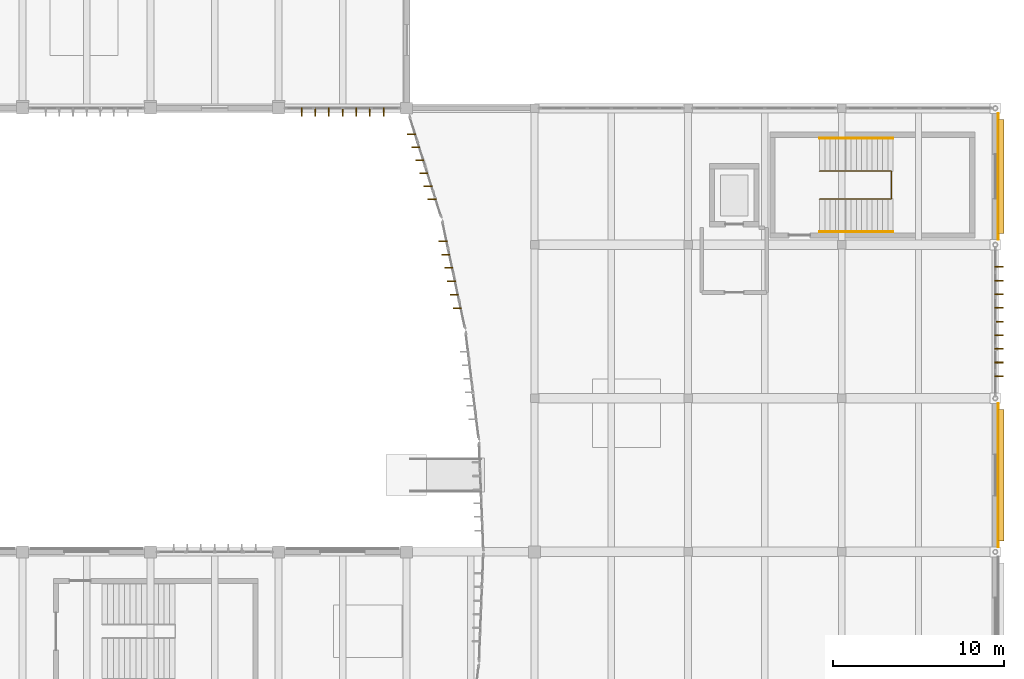
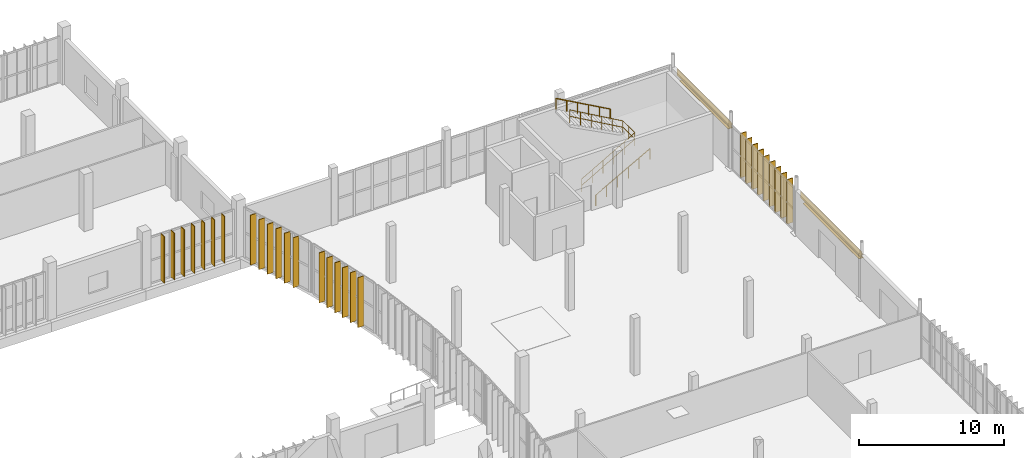
# One storey, part 70 of 72: 32 shading devices, 3 railings, 2 coverings.
"""IFC4 building model written with IfcOpenShell, lengths in metres."""

from ifc_helpers import new_model, si_unit, direction, frame, origin, origin_2d, place, context, subcontext, project, spatial, rectangle, circle, extrude, material, layer, layer_set, material_profile, profile_set, type_object, element, save


model = new_model("IFC4")

# Units and contexts
model_context = context("Model", 3, precision=1e-05, world=origin(), true_north=direction((0.0, 1.0)))
body_context = subcontext(model_context, "Body", "Model", "MODEL_VIEW")
ifc_project = project(units=[si_unit("LENGTHUNIT", "METRE"), si_unit("AREAUNIT", "SQUARE_METRE"), si_unit("VOLUMEUNIT", "CUBIC_METRE"), si_unit("PLANEANGLEUNIT", "RADIAN"), si_unit("MASSUNIT", "GRAM", prefix="KILO")], contexts=[model_context])

# Site, building, storey
site_placement = place(None, origin())
site = spatial("IfcSite", under=ifc_project, at=site_placement, CompositionType="ELEMENT")
building_placement = place(site_placement, origin())
building = spatial("IfcBuilding", under=site, at=building_placement, Name="Vourika Railside Aquatics Centre", CompositionType="ELEMENT")
storey_placement = place(building_placement, origin())
storey = spatial("IfcBuildingStorey", under=building, at=storey_placement, Name="L00", CompositionType="ELEMENT", Elevation=0.0)

# Coverings
ifc_material_1 = material(Name="Bronze-anodized aluminium rainscreen", Category="aluminium")
ifc_layer = layer(ifc_material_1, 0.044921875, Name="COV-CLAD-45")
ifc_layer_set = layer_set([ifc_layer], Name="Bronze-anodized aluminium rainscreen")
covering_type = type_object("IfcCoveringType", Name="COV-CLAD-45", PredefinedType="CLADDING", material=ifc_layer_set)
covering_1_placement = place(storey_placement, frame((168.179931640625, 70.5, 3.10498046875), z_axis=(0.0, 0.0, 1.0), x_axis=(0.0, 1.0, 0.0)))
element("IfcCovering", 1, at=covering_1_placement, inside=storey, type_object=covering_type, Name="Perforated Bronze Rainscreen Band CL-022", PredefinedType="CLADDING", context=body_context, shape_type="SweptSolid", body=[
    extrude(rectangle(XDim=8.427001953125, YDim=0.044921875, at=origin_2d()), origin(), (0.0, 0.0, 1.0), 0.550048828125),
])
covering_2_placement = place(storey_placement, frame((168.179931640625, 88.0, 3.10498046875), z_axis=(0.0, 0.0, 1.0), x_axis=(0.0, 1.0, 0.0)))
element("IfcCovering", 2, at=covering_2_placement, inside=storey, type_object=covering_type, Name="Perforated Bronze Rainscreen Band CL-023", PredefinedType="CLADDING", context=body_context, shape_type="SweptSolid", body=[
    extrude(rectangle(XDim=7.427001953125, YDim=0.044921875, at=origin_2d()), origin(), (0.0, 0.0, 1.0), 0.550048828125),
])

# Railings
ifc_material_2 = material(Name="Duplex stainless steel EN 1.4462", Category="steel")
railing_type_1 = type_object("IfcRailingType", Name="RL-HAND-920", PredefinedType="HANDRAIL", material=ifc_material_2)
railing_1_placement = place(storey_placement, frame((157.699951171875, 84.760009765625, 0.0)))
element("IfcRailing", 3, at=railing_1_placement, inside=storey, type_object=railing_type_1, Name="Protected Exit Stair Core ST05 Lower Wall Handrail (L00)", PredefinedType="HANDRAIL", context=body_context, shape_type="SweptSolid", body=[
    extrude(circle(Radius=0.02392578125, at=origin_2d()), frame((0.0, 0.0, 0.89599609375), z_axis=(0.873783640258, 0.0, 0.486314867157), x_axis=(0.0, 1.0, 0.0)), (0.0, 0.0, 1.0), 4.934814453125),
    extrude(circle(Radius=0.02099609375, at=origin_2d()), origin(), (0.0, 0.0, 1.0), 0.871826171875),
    extrude(circle(Radius=0.02099609375, at=origin_2d()), frame((0.8623046875, 0.0, 0.47998046875)), (0.0, 0.0, 1.0), 0.871826171875),
    extrude(circle(Radius=0.02099609375, at=origin_2d()), frame((1.724853515625, 0.0, 0.9599609375)), (0.0, 0.0, 1.0), 0.871826171875),
    extrude(circle(Radius=0.02099609375, at=origin_2d()), frame((2.587158203125, 0.0, 1.43994140625)), (0.0, 0.0, 1.0), 0.871826171875),
    extrude(circle(Radius=0.02099609375, at=origin_2d()), frame((3.44970703125, 0.0, 1.919921875)), (0.0, 0.0, 1.0), 0.871826171875),
    extrude(circle(Radius=0.02099609375, at=origin_2d()), frame((4.31201171875, 0.0, 2.39990234375)), (0.0, 0.0, 1.0), 0.871826171875),
])
railing_2_placement = place(storey_placement, frame((162.011962890625, 90.239990234375, 2.39990234375)))
element("IfcRailing", 4, at=railing_2_placement, inside=storey, type_object=railing_type_1, Name="Protected Exit Stair Core ST05 Upper Wall Handrail (L00)", PredefinedType="HANDRAIL", context=body_context, shape_type="SweptSolid", body=[
    extrude(circle(Radius=0.02392578125, at=origin_2d()), frame((0.0, 0.0, 0.89599609375), z_axis=(-0.873762617393, 0.0, 0.486352637956), x_axis=(0.0, -1.0, 0.0)), (0.0, 0.0, 1.0), 4.93505859375),
    extrude(circle(Radius=0.02099609375, at=origin_2d()), origin(), (0.0, 0.0, 1.0), 0.871826171875),
    extrude(circle(Radius=0.02099609375, at=origin_2d()), frame((-0.8623046875, 0.0, 0.47998046875)), (0.0, 0.0, 1.0), 0.871826171875),
    extrude(circle(Radius=0.02099609375, at=origin_2d()), frame((-1.724853515625, 0.0, 0.9599609375)), (0.0, 0.0, 1.0), 0.871826171875),
    extrude(circle(Radius=0.02099609375, at=origin_2d()), frame((-2.587158203125, 0.0, 1.440185546875)), (0.0, 0.0, 1.0), 0.871826171875),
    extrude(circle(Radius=0.02099609375, at=origin_2d()), frame((-3.44970703125, 0.0, 1.920166015625)), (0.0, 0.0, 1.0), 0.871826171875),
    extrude(circle(Radius=0.02099609375, at=origin_2d()), frame((-4.31201171875, 0.0, 2.400146484375)), (0.0, 0.0, 1.0), 0.871826171875),
])
railing_type_2 = type_object("IfcRailingType", Name="RL-STAIR-1120", PredefinedType="BALUSTRADE", material=ifc_material_2)
railing_3_placement = place(storey_placement, frame((157.699951171875, 86.679931640625, 0.0)))
element("IfcRailing", 5, at=railing_3_placement, inside=storey, type_object=railing_type_2, Name="Protected Exit Stair Core ST05 Center Well Guard (L00)", PredefinedType="BALUSTRADE", context=body_context, shape_type="SweptSolid", body=[
    extrude(circle(Radius=0.02392578125, at=origin_2d()), frame((0.0, 0.0, 1.09619140625), z_axis=(0.868868469825, 0.0, 0.495043010397), x_axis=(0.0, 1.0, 0.0)), (0.0, 0.0, 1.0), 4.847900390625),
    extrude(circle(Radius=0.02392578125, at=origin_2d()), frame((0.0, 0.0, 0.56005859375), z_axis=(0.868868469825, 0.0, 0.495043010397), x_axis=(0.0, 1.0, 0.0)), (0.0, 0.0, 1.0), 4.847900390625),
    extrude(circle(Radius=0.02392578125, at=origin_2d()), frame((4.212158203125, 0.0, 3.49609375), z_axis=(0.0, 1.0, 0.0), x_axis=(-1.0, 0.0, 0.0)), (0.0, 0.0, 1.0), 1.64013671875),
    extrude(circle(Radius=0.02392578125, at=origin_2d()), frame((4.212158203125, 0.0, 2.9599609375), z_axis=(0.0, 1.0, 0.0), x_axis=(-1.0, 0.0, 0.0)), (0.0, 0.0, 1.0), 1.64013671875),
    extrude(circle(Radius=0.02392578125, at=origin_2d()), frame((4.212158203125, 1.64013671875, 3.49609375), z_axis=(-0.868846808141, 0.0, 0.495081027695), x_axis=(0.0, -1.0, 0.0)), (0.0, 0.0, 1.0), 4.847900390625),
    extrude(circle(Radius=0.02392578125, at=origin_2d()), frame((4.212158203125, 1.64013671875, 2.9599609375), z_axis=(-0.868846808141, 0.0, 0.495081027695), x_axis=(0.0, -1.0, 0.0)), (0.0, 0.0, 1.0), 4.847900390625),
    extrude(circle(Radius=0.02099609375, at=origin_2d()), origin(), (0.0, 0.0, 1.0), 1.072021484375),
    extrude(circle(Radius=0.02099609375, at=origin_2d()), frame((0.842529296875, 0.0, 0.47998046875)), (0.0, 0.0, 1.0), 1.072021484375),
    extrude(circle(Radius=0.02099609375, at=origin_2d()), frame((1.684814453125, 0.0, 0.9599609375)), (0.0, 0.0, 1.0), 1.072021484375),
    extrude(circle(Radius=0.02099609375, at=origin_2d()), frame((2.52734375, 0.0, 1.43994140625)), (0.0, 0.0, 1.0), 1.072021484375),
    extrude(circle(Radius=0.02099609375, at=origin_2d()), frame((3.36962890625, 0.0, 1.919921875)), (0.0, 0.0, 1.0), 1.072021484375),
    extrude(circle(Radius=0.02099609375, at=origin_2d()), frame((4.212158203125, 0.0, 2.39990234375)), (0.0, 0.0, 1.0), 1.072021484375),
    extrude(circle(Radius=0.02099609375, at=origin_2d()), frame((4.212158203125, 0.820068359375, 2.39990234375)), (0.0, 0.0, 1.0), 1.072021484375),
    extrude(circle(Radius=0.02099609375, at=origin_2d()), frame((4.212158203125, 1.64013671875, 2.39990234375)), (0.0, 0.0, 1.0), 1.072021484375),
    extrude(circle(Radius=0.02099609375, at=origin_2d()), frame((3.36962890625, 1.64013671875, 2.8798828125)), (0.0, 0.0, 1.0), 1.072021484375),
    extrude(circle(Radius=0.02099609375, at=origin_2d()), frame((2.52734375, 1.64013671875, 3.35986328125)), (0.0, 0.0, 1.0), 1.072021484375),
    extrude(circle(Radius=0.02099609375, at=origin_2d()), frame((1.684814453125, 1.64013671875, 3.840087890625)), (0.0, 0.0, 1.0), 1.072021484375),
    extrude(circle(Radius=0.02099609375, at=origin_2d()), frame((0.842529296875, 1.64013671875, 4.320068359375)), (0.0, 0.0, 1.0), 1.072021484375),
    extrude(circle(Radius=0.02099609375, at=origin_2d()), frame((0.0, 1.64013671875, 4.800048828125)), (0.0, 0.0, 1.0), 1.072021484375),
])

# Shading devices
ifc_material_3 = material(Name="Bronze-anodized extruded aluminium", Category="aluminium")
ifc_material_profile_1 = material_profile(ifc_material_3, rectangle(XDim=0.06005859375, YDim=0.47998046875, at=origin_2d()), Name="ALU-FIN 60x480")
ifc_profile_set_1 = profile_set([ifc_material_profile_1], Name="Bronze-anodized extruded aluminium")
shading_device_type_1 = type_object("IfcShadingDeviceType", Name="SHD-FIN-F48A", PredefinedType="USERDEFINED", material=ifc_profile_set_1)
for number, where, z_axis, x_axis, name in (
    (6, (168.215087890625, 76.300048828125, 0.0), (0.0, 0.0, 1.0), (0.0, -1.0, 0.0), "Vertical Solar Fin VSF-0389"),
    (7, (168.215087890625, 77.10009765625, 0.0), (0.0, 0.0, 1.0), (0.0, -1.0, 0.0), "Vertical Solar Fin VSF-0390"),
    (8, (168.215087890625, 77.89990234375, 0.0), (0.0, 0.0, 1.0), (0.0, -1.0, 0.0), "Vertical Solar Fin VSF-0391"),
    (9, (168.215087890625, 78.699951171875, 0.0), (0.0, 0.0, 1.0), (0.0, -1.0, 0.0), "Vertical Solar Fin VSF-0392"),
    (10, (168.215087890625, 79.5, 0.0), (0.0, 0.0, 1.0), (0.0, -1.0, 0.0), "Vertical Solar Fin VSF-0393"),
    (11, (168.215087890625, 80.300048828125, 0.0), (0.0, 0.0, 1.0), (0.0, -1.0, 0.0), "Vertical Solar Fin VSF-0394"),
    (12, (168.215087890625, 81.10009765625, 0.0), (0.0, 0.0, 1.0), (0.0, -1.0, 0.0), "Vertical Solar Fin VSF-0395"),
    (13, (168.215087890625, 81.89990234375, 0.0), (0.0, 0.0, 1.0), (0.0, -1.0, 0.0), "Vertical Solar Fin VSF-0396"),
    (14, (168.215087890625, 82.699951171875, 0.0), (0.0, 0.0, 1.0), (0.0, -1.0, 0.0), "Vertical Solar Fin VSF-0397"),
):
    element("IfcShadingDevice", number, at=place(storey_placement, frame(where, z_axis=z_axis, x_axis=x_axis)), inside=storey, type_object=shading_device_type_1, Name=name, ObjectType="FIN", PredefinedType="USERDEFINED", context=body_context, shape_type="SweptSolid", body=[
        extrude(rectangle(XDim=0.06005859375, YDim=0.47998046875, at=origin_2d()), origin(), (0.0, 0.0, 1.0), 3.72998046875),
    ])
for number, where, z_axis, x_axis, name in (
    (15, (127.35009765625, 91.784912109375, 0.0), (0.0, 0.0, 1.0), (-1.0, 0.0, 0.0), "Vertical Solar Fin VSF-0684"),
    (16, (128.14990234375, 91.784912109375, 0.0), (0.0, 0.0, 1.0), (-1.0, 0.0, 0.0), "Vertical Solar Fin VSF-0685"),
    (17, (128.949951171875, 91.784912109375, 0.0), (0.0, 0.0, 1.0), (-1.0, 0.0, 0.0), "Vertical Solar Fin VSF-0686"),
    (18, (129.75, 91.784912109375, 0.0), (0.0, 0.0, 1.0), (-1.0, 0.0, 0.0), "Vertical Solar Fin VSF-0687"),
    (19, (130.550048828125, 91.784912109375, 0.0), (0.0, 0.0, 1.0), (-1.0, 0.0, 0.0), "Vertical Solar Fin VSF-0688"),
    (20, (131.35009765625, 91.784912109375, 0.0), (0.0, 0.0, 1.0), (-1.0, 0.0, 0.0), "Vertical Solar Fin VSF-0689"),
    (21, (132.14990234375, 91.784912109375, 0.0), (0.0, 0.0, 1.0), (-1.0, 0.0, 0.0), "Vertical Solar Fin VSF-0690"),
):
    element("IfcShadingDevice", number, at=place(storey_placement, frame(where, z_axis=z_axis, x_axis=x_axis)), inside=storey, type_object=shading_device_type_1, Name=name, ObjectType="FIN", PredefinedType="USERDEFINED", context=body_context, shape_type="SweptSolid", body=[
        extrude(rectangle(XDim=0.06005859375, YDim=0.47998046875, at=origin_2d()), origin(), (0.0, 0.0, 1.0), 3.929931640625),
    ])
ifc_material_profile_2 = material_profile(ifc_material_3, rectangle(XDim=0.06005859375, YDim=0.47998046875, at=origin_2d()), Name="ALU-FIN 60x480")
ifc_profile_set_2 = profile_set([ifc_material_profile_2], Name="Bronze-anodized extruded aluminium")
shading_device_type_2 = type_object("IfcShadingDeviceType", Name="SHD-FIN-F48B", PredefinedType="USERDEFINED", material=ifc_profile_set_2)
for number, where, z_axis, x_axis, name in (
    (22, (136.462158203125, 80.293701171875, 0.0), (0.0, 0.0, 1.0), (0.0, 1.0, 0.0), "Vertical Solar Fin VSF-0355"),
    (23, (136.296142578125, 81.076171875, 0.0), (0.0, 0.0, 1.0), (0.0, 1.0, 0.0), "Vertical Solar Fin VSF-0356"),
    (24, (136.1298828125, 81.858642578125, 0.0), (0.0, 0.0, 1.0), (0.0, 1.0, 0.0), "Vertical Solar Fin VSF-0357"),
    (25, (135.964111328125, 82.641357421875, 0.0), (0.0, 0.0, 1.0), (0.0, 1.0, 0.0), "Vertical Solar Fin VSF-0358"),
    (26, (135.7978515625, 83.423828125, 0.0), (0.0, 0.0, 1.0), (0.0, 1.0, 0.0), "Vertical Solar Fin VSF-0359"),
    (27, (135.6318359375, 84.206298828125, 0.0), (0.0, 0.0, 1.0), (0.0, 1.0, 0.0), "Vertical Solar Fin VSF-0360"),
    (28, (134.989501953125, 86.672119140625, 0.0), (0.0, 0.0, 1.0), (0.0, 1.0, 0.0), "Vertical Solar Fin VSF-0361"),
    (29, (134.74951171875, 87.435302734375, 0.0), (0.0, 0.0, 1.0), (0.0, 1.0, 0.0), "Vertical Solar Fin VSF-0362"),
    (30, (134.509521484375, 88.198486328125, 0.0), (0.0, 0.0, 1.0), (0.0, 1.0, 0.0), "Vertical Solar Fin VSF-0363"),
    (31, (134.26953125, 88.961669921875, 0.0), (0.0, 0.0, 1.0), (0.0, 1.0, 0.0), "Vertical Solar Fin VSF-0364"),
    (32, (134.029541015625, 89.724609375, 0.0), (0.0, 0.0, 1.0), (0.0, 1.0, 0.0), "Vertical Solar Fin VSF-0365"),
    (33, (133.78955078125, 90.48779296875, 0.0), (0.0, 0.0, 1.0), (0.0, 1.0, 0.0), "Vertical Solar Fin VSF-0366"),
):
    element("IfcShadingDevice", number, at=place(storey_placement, frame(where, z_axis=z_axis, x_axis=x_axis)), inside=storey, type_object=shading_device_type_2, Name=name, ObjectType="FIN", PredefinedType="USERDEFINED", context=body_context, shape_type="SweptSolid", body=[
        extrude(rectangle(XDim=0.06005859375, YDim=0.47998046875, at=origin_2d()), origin(), (0.0, 0.0, 1.0), 4.199951171875),
    ])
ifc_material_profile_3 = material_profile(ifc_material_3, rectangle(XDim=0.050048828125, YDim=0.360107421875, at=origin_2d()), Name="ALU-LOUVRE 50x360")
ifc_profile_set_3 = profile_set([ifc_material_profile_3], Name="Bronze-anodized extruded aluminium")
shading_device_type_3 = type_object("IfcShadingDeviceType", Name="SHD-SUN-360", PredefinedType="USERDEFINED", material=ifc_profile_set_3)
for number, where, z_axis, x_axis, name in (
    (34, (168.330078125, 66.64990234375, 2.85009765625), (0.0, 1.0, 0.0), (0.0, 0.0, -1.0), "Entrance Canopy Sunshade Blade SS-387"),
    (35, (168.330078125, 66.64990234375, 3.1298828125), (0.0, 1.0, 0.0), (0.0, 0.0, -1.0), "Entrance Canopy Sunshade Blade SS-388"),
):
    element("IfcShadingDevice", number, at=place(storey_placement, frame(where, z_axis=z_axis, x_axis=x_axis)), inside=storey, type_object=shading_device_type_3, Name=name, ObjectType="SUNSHADE", PredefinedType="USERDEFINED", context=body_context, shape_type="SweptSolid", body=[
        extrude(rectangle(XDim=0.050048828125, YDim=0.360107421875, at=origin_2d()), origin(), (0.0, 0.0, 1.0), 7.7001953125),
    ])
for number, where, z_axis, x_axis, name in (
    (36, (168.330078125, 84.64990234375, 2.85009765625), (0.0, 1.0, 0.0), (0.0, 0.0, -1.0), "Entrance Canopy Sunshade Blade SS-398"),
    (37, (168.330078125, 84.64990234375, 3.1298828125), (0.0, 1.0, 0.0), (0.0, 0.0, -1.0), "Entrance Canopy Sunshade Blade SS-399"),
):
    element("IfcShadingDevice", number, at=place(storey_placement, frame(where, z_axis=z_axis, x_axis=x_axis)), inside=storey, type_object=shading_device_type_3, Name=name, ObjectType="SUNSHADE", PredefinedType="USERDEFINED", context=body_context, shape_type="SweptSolid", body=[
        extrude(rectangle(XDim=0.050048828125, YDim=0.360107421875, at=origin_2d()), origin(), (0.0, 0.0, 1.0), 6.7001953125),
    ])

save(model, "model.ifc")
